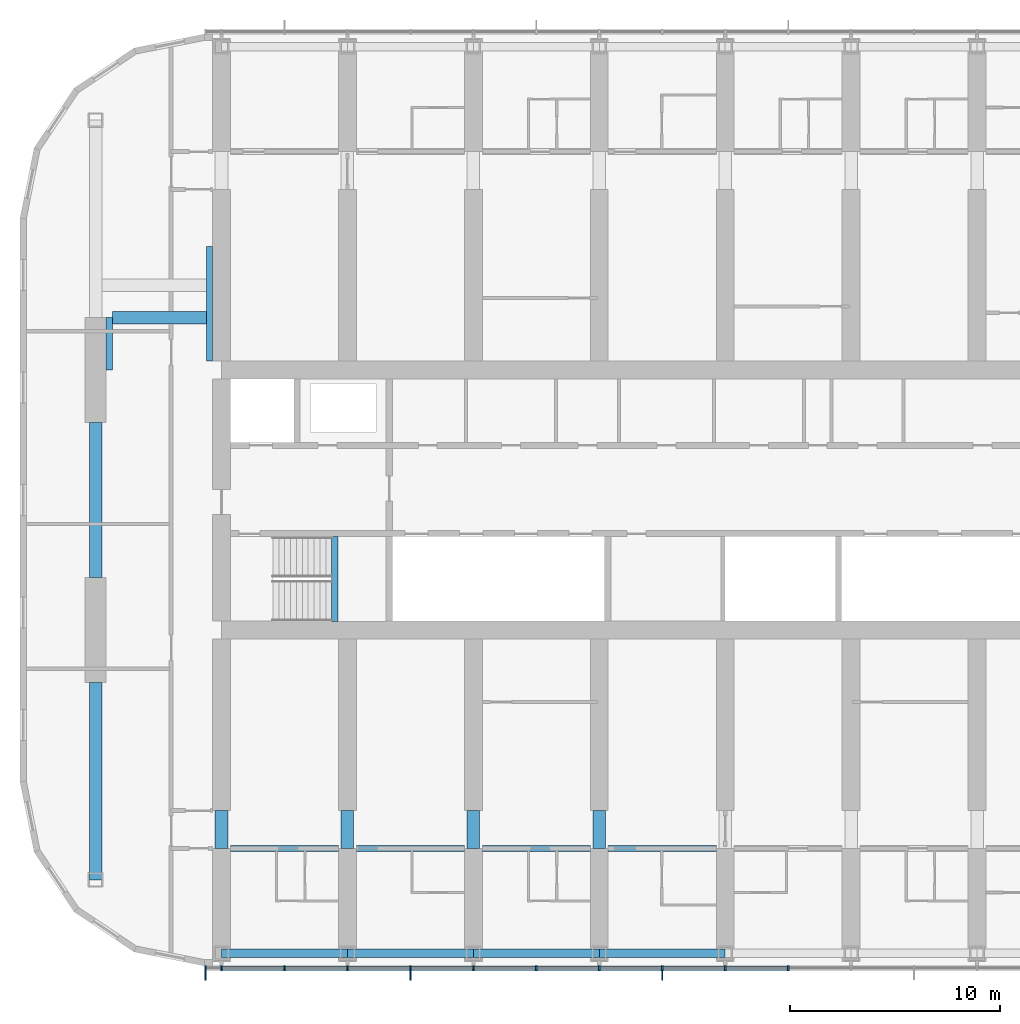
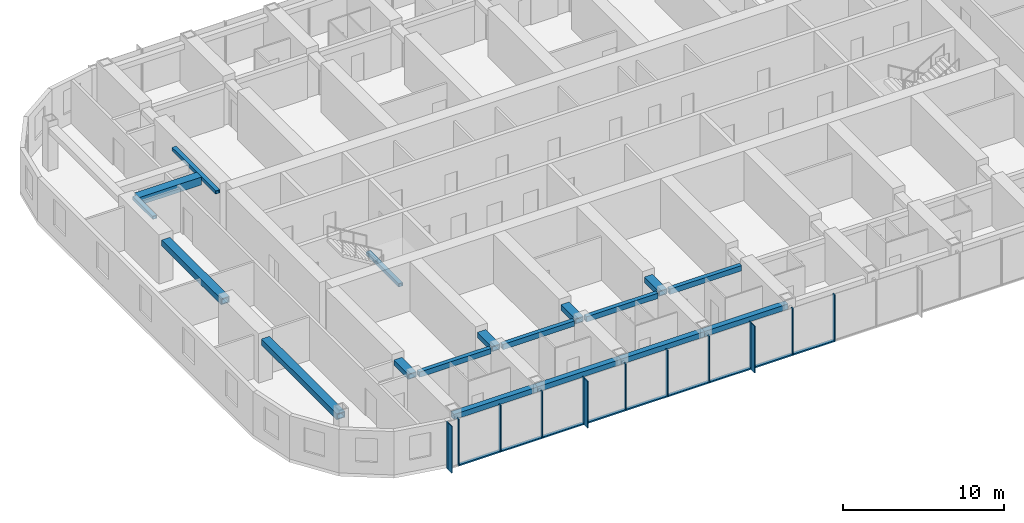
# One storey, part 2 of 22: 23 members, 18 beams, 1 element without a shape of its own.
"""IFC4 building model written with IfcOpenShell, lengths in metres."""

from ifc_helpers import new_model, si_unit, direction, frame, origin, origin_2d, place, context, subcontext, project, spatial, rectangle, hollow_rectangle, extrude, material, material_profile, profile_set, type_object, element, aggregate, save


model = new_model("IFC4")

# Units and contexts
model_context = context("Model", 3, precision=1e-05, world=origin(), true_north=direction((0.0, 1.0)))
body_context = subcontext(model_context, "Body", "Model", "MODEL_VIEW")
ifc_project = project(units=[si_unit("LENGTHUNIT", "METRE"), si_unit("AREAUNIT", "SQUARE_METRE"), si_unit("VOLUMEUNIT", "CUBIC_METRE"), si_unit("PLANEANGLEUNIT", "RADIAN"), si_unit("MASSUNIT", "GRAM", prefix="KILO")], contexts=[model_context])

# Site, building, storey
site_placement = place(None, origin())
site = spatial("IfcSite", under=ifc_project, at=site_placement, CompositionType="ELEMENT")
building_placement = place(site_placement, origin())
building = spatial("IfcBuilding", under=site, at=building_placement, Name="Orbita Commons", CompositionType="ELEMENT")
storey_placement = place(building_placement, frame((0.0, 0.0, 159.85009765625)))
storey = spatial("IfcBuildingStorey", under=building, at=storey_placement, Name="L39", CompositionType="ELEMENT", Elevation=159.85009765625)

# Curtain wall, members
ifc_material_1 = material(Name="Anodised aluminium frame, pale silver", Category="aluminium")
curtain_wall_type = type_object("IfcCurtainWallType", Name="Unitised curtain wall CW-U, full-height vision", PredefinedType="NOTDEFINED", material=ifc_material_1)
curtain_wall_placement = place(storey_placement, origin())
curtain_wall = element("IfcCurtainWall", 1, at=curtain_wall_placement, inside=storey, type_object=curtain_wall_type, Name="Curtain wall south L39", PredefinedType="NOTDEFINED")
ifc_material_2 = material(Name="Anodised aluminium, pale silver", Category="aluminium")
ifc_material_profile_1 = material_profile(ifc_material_2, rectangle(XDim=0.080078125, YDim=0.219970703125, at=origin_2d()), Name="AL 80x220")
ifc_profile_set_1 = profile_set([ifc_material_profile_1], Name="Anodised aluminium, pale silver")
member_type_1 = type_object("IfcMemberType", Name="Curtain wall mullion 80x220", PredefinedType="MULLION", material=ifc_profile_set_1)
member_1_placement = place(storey_placement, frame((17.239990234375, 9.68994140625, -0.25), z_axis=(0.0, 0.0, 1.0), x_axis=(1.0, 0.0, 0.0)))
member_1 = element("IfcMember", 2, at=member_1_placement, type_object=member_type_1, Name="Mullion 1 CW-L39-S", PredefinedType="MULLION", context=body_context, shape_type="SweptSolid", body=[
    extrude(rectangle(XDim=0.080078125, YDim=0.219970703125, at=origin_2d()), origin(), (0.0, 0.0, 1.0), 3.5498046875),
])
member_2_placement = place(storey_placement, frame((18.0, 9.68994140625, -0.25), z_axis=(0.0, 0.0, 1.0), x_axis=(1.0, 0.0, 0.0)))
member_2 = element("IfcMember", 3, at=member_2_placement, type_object=member_type_1, Name="Mullion 2 CW-L39-S", PredefinedType="MULLION", context=body_context, shape_type="SweptSolid", body=[
    extrude(rectangle(XDim=0.080078125, YDim=0.219970703125, at=origin_2d()), origin(), (0.0, 0.0, 1.0), 3.5498046875),
])
member_3_placement = place(storey_placement, frame((21.0, 9.68994140625, -0.25), z_axis=(0.0, 0.0, 1.0), x_axis=(1.0, 0.0, 0.0)))
member_3 = element("IfcMember", 4, at=member_3_placement, type_object=member_type_1, Name="Mullion 3 CW-L39-S", PredefinedType="MULLION", context=body_context, shape_type="SweptSolid", body=[
    extrude(rectangle(XDim=0.080078125, YDim=0.219970703125, at=origin_2d()), origin(), (0.0, 0.0, 1.0), 3.5498046875),
])
member_4_placement = place(storey_placement, frame((24.0, 9.68994140625, -0.25), z_axis=(0.0, 0.0, 1.0), x_axis=(1.0, 0.0, 0.0)))
member_4 = element("IfcMember", 5, at=member_4_placement, type_object=member_type_1, Name="Mullion 4 CW-L39-S", PredefinedType="MULLION", context=body_context, shape_type="SweptSolid", body=[
    extrude(rectangle(XDim=0.080078125, YDim=0.219970703125, at=origin_2d()), origin(), (0.0, 0.0, 1.0), 3.5498046875),
])
member_5_placement = place(storey_placement, frame((27.0, 9.68994140625, -0.25), z_axis=(0.0, 0.0, 1.0), x_axis=(1.0, 0.0, 0.0)))
member_5 = element("IfcMember", 6, at=member_5_placement, type_object=member_type_1, Name="Mullion 5 CW-L39-S", PredefinedType="MULLION", context=body_context, shape_type="SweptSolid", body=[
    extrude(rectangle(XDim=0.080078125, YDim=0.219970703125, at=origin_2d()), origin(), (0.0, 0.0, 1.0), 3.5498046875),
])
member_6_placement = place(storey_placement, frame((30.0, 9.68994140625, -0.25), z_axis=(0.0, 0.0, 1.0), x_axis=(1.0, 0.0, 0.0)))
member_6 = element("IfcMember", 7, at=member_6_placement, type_object=member_type_1, Name="Mullion 6 CW-L39-S", PredefinedType="MULLION", context=body_context, shape_type="SweptSolid", body=[
    extrude(rectangle(XDim=0.080078125, YDim=0.219970703125, at=origin_2d()), origin(), (0.0, 0.0, 1.0), 3.5498046875),
])
member_7_placement = place(storey_placement, frame((33.0, 9.68994140625, -0.25), z_axis=(0.0, 0.0, 1.0), x_axis=(1.0, 0.0, 0.0)))
member_7 = element("IfcMember", 8, at=member_7_placement, type_object=member_type_1, Name="Mullion 7 CW-L39-S", PredefinedType="MULLION", context=body_context, shape_type="SweptSolid", body=[
    extrude(rectangle(XDim=0.080078125, YDim=0.219970703125, at=origin_2d()), origin(), (0.0, 0.0, 1.0), 3.5498046875),
])
member_8_placement = place(storey_placement, frame((36.0, 9.68994140625, -0.25), z_axis=(0.0, 0.0, 1.0), x_axis=(1.0, 0.0, 0.0)))
member_8 = element("IfcMember", 9, at=member_8_placement, type_object=member_type_1, Name="Mullion 8 CW-L39-S", PredefinedType="MULLION", context=body_context, shape_type="SweptSolid", body=[
    extrude(rectangle(XDim=0.080078125, YDim=0.219970703125, at=origin_2d()), origin(), (0.0, 0.0, 1.0), 3.5498046875),
])
member_9_placement = place(storey_placement, frame((39.0, 9.68994140625, -0.25), z_axis=(0.0, 0.0, 1.0), x_axis=(1.0, 0.0, 0.0)))
member_9 = element("IfcMember", 10, at=member_9_placement, type_object=member_type_1, Name="Mullion 9 CW-L39-S", PredefinedType="MULLION", context=body_context, shape_type="SweptSolid", body=[
    extrude(rectangle(XDim=0.080078125, YDim=0.219970703125, at=origin_2d()), origin(), (0.0, 0.0, 1.0), 3.5498046875),
])
member_10_placement = place(storey_placement, frame((42.0, 9.68994140625, -0.25), z_axis=(0.0, 0.0, 1.0), x_axis=(1.0, 0.0, 0.0)))
member_10 = element("IfcMember", 11, at=member_10_placement, type_object=member_type_1, Name="Mullion 10 CW-L39-S", PredefinedType="MULLION", context=body_context, shape_type="SweptSolid", body=[
    extrude(rectangle(XDim=0.080078125, YDim=0.219970703125, at=origin_2d()), origin(), (0.0, 0.0, 1.0), 3.5498046875),
])
member_11_placement = place(storey_placement, frame((45.0, 9.68994140625, -0.25), z_axis=(0.0, 0.0, 1.0), x_axis=(1.0, 0.0, 0.0)))
member_11 = element("IfcMember", 12, at=member_11_placement, type_object=member_type_1, Name="Mullion 11 CW-L39-S", PredefinedType="MULLION", context=body_context, shape_type="SweptSolid", body=[
    extrude(rectangle(XDim=0.080078125, YDim=0.219970703125, at=origin_2d()), origin(), (0.0, 0.0, 1.0), 3.5498046875),
])
ifc_material_3 = material(Name="Anodised aluminium, pale silver", Category="aluminium")
ifc_material_profile_2 = material_profile(ifc_material_3, rectangle(XDim=0.219970703125, YDim=0.10009765625, at=origin_2d()), Name="AL 220x100")
ifc_profile_set_2 = profile_set([ifc_material_profile_2], Name="Anodised aluminium, pale silver")
member_type_2 = type_object("IfcMemberType", Name="Curtain wall stack transom 220x100", PredefinedType="USERDEFINED", material=ifc_profile_set_2)
member_12_placement = place(storey_placement, frame((18.0400390625, 9.68994140625, -0.2001953125), z_axis=(1.0, 0.0, 0.0), x_axis=(0.0, 1.0, 0.0)))
member_12 = element("IfcMember", 13, at=member_12_placement, type_object=member_type_2, Name="Transom 2.1 CW-L39-S", ObjectType="TRANSOM", PredefinedType="USERDEFINED", context=body_context, shape_type="SweptSolid", body=[
    extrude(rectangle(XDim=0.219970703125, YDim=0.10009765625, at=origin_2d()), origin(), (0.0, 0.0, 1.0), 2.919921875),
])
member_13_placement = place(storey_placement, frame((21.0400390625, 9.68994140625, -0.2001953125), z_axis=(1.0, 0.0, 0.0), x_axis=(0.0, 1.0, 0.0)))
member_13 = element("IfcMember", 14, at=member_13_placement, type_object=member_type_2, Name="Transom 3.1 CW-L39-S", ObjectType="TRANSOM", PredefinedType="USERDEFINED", context=body_context, shape_type="SweptSolid", body=[
    extrude(rectangle(XDim=0.219970703125, YDim=0.10009765625, at=origin_2d()), origin(), (0.0, 0.0, 1.0), 2.919921875),
])
member_14_placement = place(storey_placement, frame((24.0400390625, 9.68994140625, -0.2001953125), z_axis=(1.0, 0.0, 0.0), x_axis=(0.0, 1.0, 0.0)))
member_14 = element("IfcMember", 15, at=member_14_placement, type_object=member_type_2, Name="Transom 4.1 CW-L39-S", ObjectType="TRANSOM", PredefinedType="USERDEFINED", context=body_context, shape_type="SweptSolid", body=[
    extrude(rectangle(XDim=0.219970703125, YDim=0.10009765625, at=origin_2d()), origin(), (0.0, 0.0, 1.0), 2.919921875),
])
member_15_placement = place(storey_placement, frame((27.0400390625, 9.68994140625, -0.2001953125), z_axis=(1.0, 0.0, 0.0), x_axis=(0.0, 1.0, 0.0)))
member_15 = element("IfcMember", 16, at=member_15_placement, type_object=member_type_2, Name="Transom 5.1 CW-L39-S", ObjectType="TRANSOM", PredefinedType="USERDEFINED", context=body_context, shape_type="SweptSolid", body=[
    extrude(rectangle(XDim=0.219970703125, YDim=0.10009765625, at=origin_2d()), origin(), (0.0, 0.0, 1.0), 2.919921875),
])
member_16_placement = place(storey_placement, frame((30.0400390625, 9.68994140625, -0.2001953125), z_axis=(1.0, 0.0, 0.0), x_axis=(0.0, 1.0, 0.0)))
member_16 = element("IfcMember", 17, at=member_16_placement, type_object=member_type_2, Name="Transom 6.1 CW-L39-S", ObjectType="TRANSOM", PredefinedType="USERDEFINED", context=body_context, shape_type="SweptSolid", body=[
    extrude(rectangle(XDim=0.219970703125, YDim=0.10009765625, at=origin_2d()), origin(), (0.0, 0.0, 1.0), 2.919921875),
])
member_17_placement = place(storey_placement, frame((33.0400390625, 9.68994140625, -0.2001953125), z_axis=(1.0, 0.0, 0.0), x_axis=(0.0, 1.0, 0.0)))
member_17 = element("IfcMember", 18, at=member_17_placement, type_object=member_type_2, Name="Transom 7.1 CW-L39-S", ObjectType="TRANSOM", PredefinedType="USERDEFINED", context=body_context, shape_type="SweptSolid", body=[
    extrude(rectangle(XDim=0.219970703125, YDim=0.10009765625, at=origin_2d()), origin(), (0.0, 0.0, 1.0), 2.919921875),
])
member_18_placement = place(storey_placement, frame((36.0400390625, 9.68994140625, -0.2001953125), z_axis=(1.0, 0.0, 0.0), x_axis=(0.0, 1.0, 0.0)))
member_18 = element("IfcMember", 19, at=member_18_placement, type_object=member_type_2, Name="Transom 8.1 CW-L39-S", ObjectType="TRANSOM", PredefinedType="USERDEFINED", context=body_context, shape_type="SweptSolid", body=[
    extrude(rectangle(XDim=0.219970703125, YDim=0.10009765625, at=origin_2d()), origin(), (0.0, 0.0, 1.0), 2.919921875),
])
member_19_placement = place(storey_placement, frame((39.0400390625, 9.68994140625, -0.2001953125), z_axis=(1.0, 0.0, 0.0), x_axis=(0.0, 1.0, 0.0)))
member_19 = element("IfcMember", 20, at=member_19_placement, type_object=member_type_2, Name="Transom 9.1 CW-L39-S", ObjectType="TRANSOM", PredefinedType="USERDEFINED", context=body_context, shape_type="SweptSolid", body=[
    extrude(rectangle(XDim=0.219970703125, YDim=0.10009765625, at=origin_2d()), origin(), (0.0, 0.0, 1.0), 2.919921875),
])
member_20_placement = place(storey_placement, frame((42.0400390625, 9.68994140625, -0.2001953125), z_axis=(1.0, 0.0, 0.0), x_axis=(0.0, 1.0, 0.0)))
member_20 = element("IfcMember", 21, at=member_20_placement, type_object=member_type_2, Name="Transom 10.1 CW-L39-S", ObjectType="TRANSOM", PredefinedType="USERDEFINED", context=body_context, shape_type="SweptSolid", body=[
    extrude(rectangle(XDim=0.219970703125, YDim=0.10009765625, at=origin_2d()), origin(), (0.0, 0.0, 1.0), 2.919921875),
])

# Beams
ifc_material_4 = material(Name="Steel ASTM A572 Gr 50 welded plate", Category="steel")
ifc_material_profile_3 = material_profile(ifc_material_4, hollow_rectangle(XDim=0.300048828125, YDim=0.25, WallThickness=0.02490234375, at=origin_2d()), Name="BOX 250x300x25")
ifc_profile_set_3 = profile_set([ifc_material_profile_3], Name="Steel ASTM A572 Gr 50 welded plate")
beam_type_1 = type_object("IfcBeamType", Name="Stair landing beam steel BOX 250x300x25", PredefinedType="BEAM", material=ifc_profile_set_3)
beam_1_placement = place(storey_placement, frame((23.39990234375, 26.2099609375, 1.5498046875), z_axis=(0.0, 1.0, 0.0), x_axis=(-1.0, 0.0, 0.0)))
element("IfcBeam", 22, at=beam_1_placement, inside=storey, type_object=beam_type_1, Name="Stair S1 landing beam L39 1", PredefinedType="BEAM", context=body_context, shape_type="SweptSolid", body=[
    extrude(hollow_rectangle(XDim=0.300048828125, YDim=0.25, WallThickness=0.02490234375, at=origin_2d()), origin(), (0.0, 0.0, 1.0), 4.054931640625),
])
ifc_material_5 = material(Name="Steel ASTM A572 Gr 50 welded plate", Category="steel")
ifc_material_profile_4 = material_profile(ifc_material_5, hollow_rectangle(XDim=0.60009765625, YDim=0.60009765625, WallThickness=0.06005859375, at=origin_2d()), Name="BOX 600x600x60")
ifc_profile_set_4 = profile_set([ifc_material_profile_4], Name="Steel ASTM A572 Gr 50 welded plate")
beam_type_2 = type_object("IfcBeamType", Name="Stair trimmer beam BOX 600x600x60", PredefinedType="BEAM", material=ifc_profile_set_4)
beam_2_placement = place(storey_placement, frame((12.800048828125, 40.675048828125, 3.0), z_axis=(1.0, 0.0, 0.0), x_axis=(0.0, 1.0, 0.0)))
element("IfcBeam", 23, at=beam_2_placement, inside=storey, type_object=beam_type_2, Name="Neighbourhood stair L40 to L41 transfer beam 1", PredefinedType="BEAM", context=body_context, shape_type="SweptSolid", body=[
    extrude(hollow_rectangle(XDim=0.60009765625, YDim=0.60009765625, WallThickness=0.06005859375, at=origin_2d()), origin(), (0.0, 0.0, 1.0), 4.474853515625),
])
ifc_material_6 = material(Name="Steel ASTM A572 Gr 50 welded plate", Category="steel")
ifc_material_profile_5 = material_profile(ifc_material_6, hollow_rectangle(XDim=0.300048828125, YDim=0.39990234375, WallThickness=0.0400390625, at=origin_2d()), Name="BOX 400x300x40")
ifc_profile_set_5 = profile_set([ifc_material_profile_5], Name="Steel ASTM A572 Gr 50 welded plate")
beam_type_3 = type_object("IfcBeamType", Name="Steel corridor link BOX 400x300x40", PredefinedType="BEAM", material=ifc_profile_set_5)
for number, where, z_axis, x_axis, name in (
    (24, (18.425048828125, 15.39990234375, 3.099853515625), (1.0, 0.0, 0.0), (0.0, 1.0, 0.0), "Corridor beam SA 4-5 L39"),
    (25, (24.425048828125, 15.39990234375, 3.099853515625), (1.0, 0.0, 0.0), (0.0, 1.0, 0.0), "Corridor beam SA 5-6 L39"),
    (26, (30.425048828125, 15.39990234375, 3.099853515625), (1.0, 0.0, 0.0), (0.0, 1.0, 0.0), "Corridor beam SA 6-7 L39"),
    (27, (36.425048828125, 15.39990234375, 3.099853515625), (1.0, 0.0, 0.0), (0.0, 1.0, 0.0), "Corridor beam SA 7-8 L39"),
):
    element("IfcBeam", number, at=place(storey_placement, frame(where, z_axis=z_axis, x_axis=x_axis)), inside=storey, type_object=beam_type_3, Name=name, PredefinedType="BEAM", context=body_context, shape_type="SweptSolid", body=[
        extrude(hollow_rectangle(XDim=0.300048828125, YDim=0.39990234375, WallThickness=0.0400390625, at=origin_2d()), origin(), (0.0, 0.0, 1.0), 5.14990234375),
    ])
ifc_material_7 = material(Name="Steel ASTM A572 Gr 50 welded plate", Category="steel")
ifc_material_profile_6 = material_profile(ifc_material_7, hollow_rectangle(XDim=0.60009765625, YDim=0.39990234375, WallThickness=0.050048828125, at=origin_2d()), Name="BOX 400x600x50")
ifc_profile_set_6 = profile_set([ifc_material_profile_6], Name="Steel ASTM A572 Gr 50 welded plate")
beam_type_4 = type_object("IfcBeamType", Name="Steel coupling link BOX 400x600x50", PredefinedType="LINTEL", material=ifc_profile_set_6)
for number, where, z_axis, x_axis, name in (
    (28, (18.0, 15.39990234375, 3.099853515625), (0.0, 1.0, 0.0), (-1.0, 0.0, 0.0), "Coupling beam 4 south L39"),
    (29, (24.0, 15.39990234375, 3.099853515625), (0.0, 1.0, 0.0), (-1.0, 0.0, 0.0), "Coupling beam 5 south L39"),
    (30, (30.0, 15.39990234375, 3.099853515625), (0.0, 1.0, 0.0), (-1.0, 0.0, 0.0), "Coupling beam 6 south L39"),
    (31, (36.0, 15.39990234375, 3.099853515625), (0.0, 1.0, 0.0), (-1.0, 0.0, 0.0), "Coupling beam 7 south L39"),
):
    element("IfcBeam", number, at=place(storey_placement, frame(where, z_axis=z_axis, x_axis=x_axis)), inside=storey, type_object=beam_type_4, Name=name, PredefinedType="LINTEL", context=body_context, shape_type="SweptSolid", body=[
        extrude(hollow_rectangle(XDim=0.60009765625, YDim=0.39990234375, WallThickness=0.050048828125, at=origin_2d()), origin(), (0.0, 0.0, 1.0), 1.800048828125),
    ])
ifc_material_8 = material(Name="Steel ASTM A572 Gr 50 welded plate", Category="steel")
ifc_material_profile_7 = material_profile(ifc_material_8, hollow_rectangle(XDim=0.60009765625, YDim=0.449951171875, WallThickness=0.06005859375, at=origin_2d()), Name="BOX 450x600x60")
ifc_profile_set_7 = profile_set([ifc_material_profile_7], Name="Steel ASTM A572 Gr 50 welded plate")
beam_type_5 = type_object("IfcBeamType", Name="Steel end frame link BOX 450x600x60", PredefinedType="BEAM", material=ifc_profile_set_7)
beam_3_placement = place(storey_placement, frame((12.0, 13.89990234375, 3.074951171875), z_axis=(0.0, 1.0, 0.0), x_axis=(-1.0, 0.0, 0.0)))
element("IfcBeam", 32, at=beam_3_placement, inside=storey, type_object=beam_type_5, Name="End frame beam 3 B-C L39", PredefinedType="BEAM", context=body_context, shape_type="SweptSolid", body=[
    extrude(hollow_rectangle(XDim=0.60009765625, YDim=0.449951171875, WallThickness=0.06005859375, at=origin_2d()), origin(), (0.0, 0.0, 1.0), 9.400146484375),
])
beam_4_placement = place(storey_placement, frame((12.0, 28.300048828125, 3.074951171875), z_axis=(0.0, 1.0, 0.0), x_axis=(-1.0, 0.0, 0.0)))
element("IfcBeam", 33, at=beam_4_placement, inside=storey, type_object=beam_type_5, Name="End frame beam 3 C-D L39", PredefinedType="BEAM", context=body_context, shape_type="SweptSolid", body=[
    extrude(hollow_rectangle(XDim=0.60009765625, YDim=0.449951171875, WallThickness=0.06005859375, at=origin_2d()), origin(), (0.0, 0.0, 1.0), 7.39990234375),
])
ifc_material_9 = material(Name="Steel ASTM A572 Gr 50 welded plate", Category="steel")
ifc_material_profile_8 = material_profile(ifc_material_9, hollow_rectangle(XDim=0.39990234375, YDim=0.39990234375, WallThickness=0.0400390625, at=origin_2d()), Name="BOX 400x400x40")
ifc_profile_set_8 = profile_set([ifc_material_profile_8], Name="Steel ASTM A572 Gr 50 welded plate")
beam_type_6 = type_object("IfcBeamType", Name="Steel spandrel BOX 400x400x40", PredefinedType="SPANDREL", material=ifc_profile_set_8)
for number, where, z_axis, x_axis, name in (
    (34, (18.0, 10.39990234375, 3.099853515625), (1.0, 0.0, 0.0), (0.0, 1.0, 0.0), "Spandrel beam B 4-5 L39"),
    (35, (24.0, 10.39990234375, 3.099853515625), (1.0, 0.0, 0.0), (0.0, 1.0, 0.0), "Spandrel beam B 5-6 L39"),
    (36, (30.0, 10.39990234375, 3.099853515625), (1.0, 0.0, 0.0), (0.0, 1.0, 0.0), "Spandrel beam B 6-7 L39"),
    (37, (36.0, 10.39990234375, 3.099853515625), (1.0, 0.0, 0.0), (0.0, 1.0, 0.0), "Spandrel beam B 7-8 L39"),
):
    element("IfcBeam", number, at=place(storey_placement, frame(where, z_axis=z_axis, x_axis=x_axis)), inside=storey, type_object=beam_type_6, Name=name, PredefinedType="SPANDREL", context=body_context, shape_type="SweptSolid", body=[
        extrude(hollow_rectangle(XDim=0.39990234375, YDim=0.39990234375, WallThickness=0.0400390625, at=origin_2d()), origin(), (0.0, 0.0, 1.0), 6.0),
    ])
ifc_material_10 = material(Name="Steel ASTM A572 Gr 50 welded plate", Category="steel")
ifc_material_profile_9 = material_profile(ifc_material_10, hollow_rectangle(XDim=0.300048828125, YDim=0.25, WallThickness=0.02490234375, at=origin_2d()), Name="BOX 250x300x25")
ifc_profile_set_9 = profile_set([ifc_material_profile_9], Name="Steel ASTM A572 Gr 50 welded plate")
beam_type_7 = type_object("IfcBeamType", Name="Trimmer ledger beam BOX 250x300x25", PredefinedType="BEAM", material=ifc_profile_set_9)
beam_5_placement = place(storey_placement, frame((12.64990234375, 38.199951171875, 3.1748046875), z_axis=(0.0, 1.0, 0.0), x_axis=(-1.0, 0.0, 0.0)))
element("IfcBeam", 38, at=beam_5_placement, inside=storey, type_object=beam_type_7, Name="Neighbourhood stair L40 to L41 trimmer ledger 1W", PredefinedType="BEAM", context=body_context, shape_type="SweptSolid", body=[
    extrude(hollow_rectangle(XDim=0.300048828125, YDim=0.25, WallThickness=0.02490234375, at=origin_2d()), origin(), (0.0, 0.0, 1.0), 2.5),
])
beam_6_placement = place(storey_placement, frame((17.425048828125, 38.625, 3.1748046875), z_axis=(0.0, 1.0, 0.0), x_axis=(-1.0, 0.0, 0.0)))
element("IfcBeam", 39, at=beam_6_placement, inside=storey, type_object=beam_type_7, Name="Neighbourhood stair L40 to L41 trimmer ledger 1E", PredefinedType="BEAM", context=body_context, shape_type="SweptSolid", body=[
    extrude(hollow_rectangle(XDim=0.300048828125, YDim=0.25, WallThickness=0.02490234375, at=origin_2d()), origin(), (0.0, 0.0, 1.0), 5.449951171875),
])

# Member
ifc_material_11 = material(Name="Anodised aluminium, pale silver", Category="aluminium")
ifc_material_profile_10 = material_profile(ifc_material_11, rectangle(XDim=0.06005859375, YDim=0.449951171875, at=origin_2d()), Name="FIN 60x450")
ifc_profile_set_10 = profile_set([ifc_material_profile_10], Name="Anodised aluminium, pale silver")
member_type_3 = type_object("IfcMemberType", Name="Vertical fin 60x450 pale aluminium", PredefinedType="USERDEFINED", material=ifc_profile_set_10)
member_21_placement = place(storey_placement, frame((17.239990234375, 9.35498046875, -0.25), z_axis=(0.0, 0.0, 1.0), x_axis=(1.0, 0.0, 0.0)))
member_21 = element("IfcMember", 40, at=member_21_placement, type_object=member_type_3, Name="Fin 1 CW-L39-S", ObjectType="FIN", PredefinedType="USERDEFINED", context=body_context, shape_type="SweptSolid", body=[
    extrude(rectangle(XDim=0.06005859375, YDim=0.449951171875, at=origin_2d()), origin(), (0.0, 0.0, 1.0), 3.5498046875),
])

member_22_placement = place(storey_placement, frame((27.0, 9.35498046875, -0.25), z_axis=(0.0, 0.0, 1.0), x_axis=(1.0, 0.0, 0.0)))
member_22 = element("IfcMember", 41, at=member_22_placement, type_object=member_type_3, Name="Fin 5 CW-L39-S", ObjectType="FIN", PredefinedType="USERDEFINED", context=body_context, shape_type="SweptSolid", body=[
    extrude(rectangle(XDim=0.06005859375, YDim=0.449951171875, at=origin_2d()), origin(), (0.0, 0.0, 1.0), 3.5498046875),
])

member_23_placement = place(storey_placement, frame((39.0, 9.35498046875, -0.25), z_axis=(0.0, 0.0, 1.0), x_axis=(1.0, 0.0, 0.0)))
member_23 = element("IfcMember", 42, at=member_23_placement, type_object=member_type_3, Name="Fin 9 CW-L39-S", ObjectType="FIN", PredefinedType="USERDEFINED", context=body_context, shape_type="SweptSolid", body=[
    extrude(rectangle(XDim=0.06005859375, YDim=0.449951171875, at=origin_2d()), origin(), (0.0, 0.0, 1.0), 3.5498046875),
])

aggregate(curtain_wall, [member_1, member_21, member_2, member_3, member_4, member_5, member_22, member_6, member_7, member_8, member_9, member_23, member_10, member_11, member_12, member_13, member_14, member_15, member_16, member_17, member_18, member_19, member_20])

save(model, "model.ifc")
